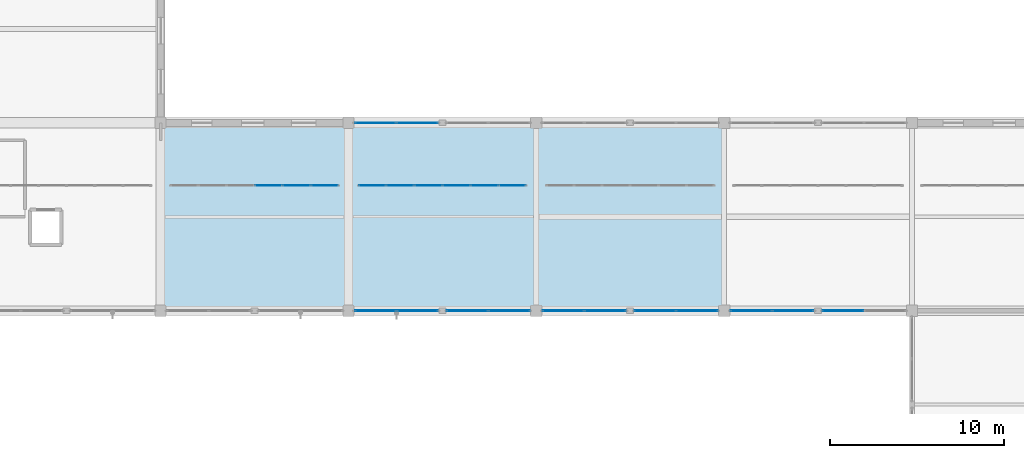
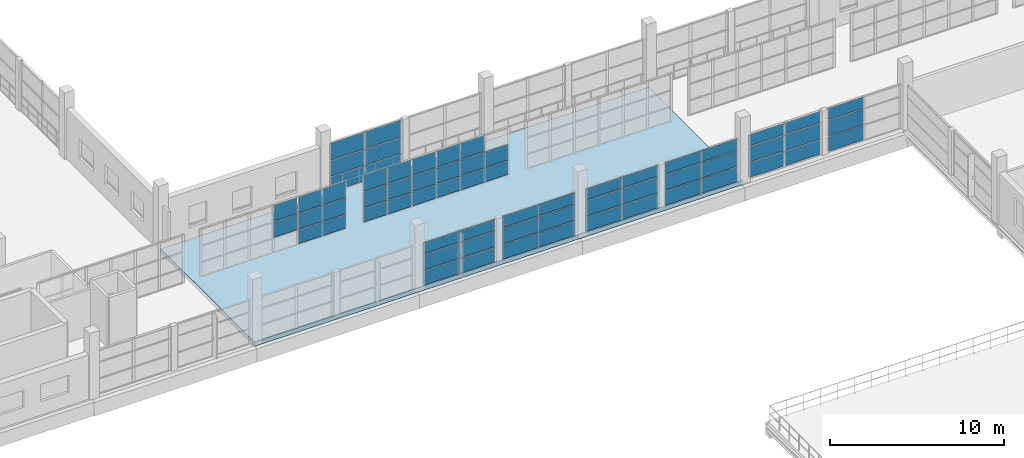
# One storey, part 87 of 142: 64 plates, 1 slab, 9 elements without a shape of their own.
"""IFC4 building model written with IfcOpenShell, lengths in metres."""

from ifc_helpers import new_model, si_unit, direction, frame, origin, origin_2d, place, context, subcontext, project, spatial, polyline, rectangle, outline, extrude, material, layer, layer_set, type_object, element, aggregate, save


model = new_model("IFC4")

# Units and contexts
model_context = context("Model", 3, precision=1e-05, world=origin(), true_north=direction((0.0, 1.0)))
body_context = subcontext(model_context, "Body", "Model", "MODEL_VIEW")
ifc_project = project(units=[si_unit("LENGTHUNIT", "METRE"), si_unit("AREAUNIT", "SQUARE_METRE"), si_unit("VOLUMEUNIT", "CUBIC_METRE"), si_unit("PLANEANGLEUNIT", "RADIAN"), si_unit("MASSUNIT", "GRAM", prefix="KILO")], contexts=[model_context])

# Site, building, storey
site_placement = place(None, origin())
site = spatial("IfcSite", under=ifc_project, at=site_placement, CompositionType="ELEMENT")
building_placement = place(site_placement, origin())
building = spatial("IfcBuilding", under=site, at=building_placement, Name="Zwinboog Wholesale Market", CompositionType="ELEMENT")
storey_placement = place(building_placement, frame((0.0, 0.0, 5.39990234375)))
storey = spatial("IfcBuildingStorey", under=building, at=storey_placement, Name="L01", CompositionType="ELEMENT", Elevation=5.39990234375)

# Slab
ifc_material_1 = material(Name="Precast concrete C45/55", Category="concrete")
ifc_layer_1 = layer(ifc_material_1, 0.304931640625)
ifc_layer_set_1 = layer_set([ifc_layer_1], Name="Precast concrete C45/55")
slab_type = type_object("IfcSlabType", Name="SLT-FL-305", PredefinedType="FLOOR", material=ifc_layer_set_1)
slab_placement = place(storey_placement, frame((0.0, 0.0, -0.304931640625)))
element("IfcSlab", 1, at=slab_placement, inside=storey, type_object=slab_type, Name="SF-305 (SLB-L01-037)", PredefinedType="FLOOR", context=body_context, shape_type="SweptSolid", body=[
    extrude(outline(polyline([(86.39990234375, 43.199951171875), (118.800048828125, 43.199951171875), (118.800048828125, 54.0), (86.39990234375, 54.0), (86.39990234375, 43.199951171875)])), origin(), (0.0, 0.0, 1.0), 0.304931640625),
])

# Curtain wall, plates
ifc_material_2 = material(Name="Aluminium thermally broken curtain wall", Category="aluminium")
curtain_wall_type_1 = type_object("IfcCurtainWallType", Name="CWT-HALL-24", PredefinedType="USERDEFINED", material=ifc_material_2)
curtain_wall_1_placement = place(storey_placement, origin())
curtain_wall_1 = element("IfcCurtainWall", 2, at=curtain_wall_1_placement, inside=storey, type_object=curtain_wall_type_1, Name="CW-03 (CW-L01-099)", ObjectType="UNITIZED_CURTAIN_WALL", PredefinedType="USERDEFINED")
ifc_material_3 = material(Name="Triple solar-control insulated glazing", Category="glass")
ifc_layer_2 = layer(ifc_material_3, 0.0380859375)
ifc_layer_set_2 = layer_set([ifc_layer_2], Name="Triple solar-control insulated glazing")
plate_type_1 = type_object("IfcPlateType", Name="CWP-IGU-38", PredefinedType="CURTAIN_PANEL", material=ifc_layer_set_2)
plate_1_placement = place(storey_placement, frame((98.75634765625, 43.199951171875, 0.065185546875), z_axis=(0.0, 0.0, 1.0), x_axis=(1.0, 0.0, 0.0)))
plate_1 = element("IfcPlate", 3, at=plate_1_placement, type_object=plate_type_1, Name="CW-03 panel 1.1", PredefinedType="CURTAIN_PANEL", context=body_context, shape_type="SweptSolid", body=[
    extrude(rectangle(XDim=2.342529296875, YDim=0.0380859375, at=origin_2d()), origin(), (0.0, 0.0, 1.0), 1.00244140625),
])
plate_2_placement = place(storey_placement, frame((98.75634765625, 43.199951171875, 1.132568359375), z_axis=(0.0, 0.0, 1.0), x_axis=(1.0, 0.0, 0.0)))
plate_2 = element("IfcPlate", 4, at=plate_2_placement, type_object=plate_type_1, Name="CW-03 panel 1.2", PredefinedType="CURTAIN_PANEL", context=body_context, shape_type="SweptSolid", body=[
    extrude(rectangle(XDim=2.342529296875, YDim=0.0380859375, at=origin_2d()), origin(), (0.0, 0.0, 1.0), 1.0849609375),
])
plate_3_placement = place(storey_placement, frame((98.75634765625, 43.199951171875, 2.28271484375), z_axis=(0.0, 0.0, 1.0), x_axis=(1.0, 0.0, 0.0)))
plate_3 = element("IfcPlate", 5, at=plate_3_placement, type_object=plate_type_1, Name="CW-03 panel 1.3", PredefinedType="CURTAIN_PANEL", context=body_context, shape_type="SweptSolid", body=[
    extrude(rectangle(XDim=2.342529296875, YDim=0.0380859375, at=origin_2d()), origin(), (0.0, 0.0, 1.0), 0.7724609375),
])
plate_4_placement = place(storey_placement, frame((101.163818359375, 43.199951171875, 0.065185546875), z_axis=(0.0, 0.0, 1.0), x_axis=(1.0, 0.0, 0.0)))
plate_4 = element("IfcPlate", 6, at=plate_4_placement, type_object=plate_type_1, Name="CW-03 panel 2.1", PredefinedType="CURTAIN_PANEL", context=body_context, shape_type="SweptSolid", body=[
    extrude(rectangle(XDim=2.342529296875, YDim=0.0380859375, at=origin_2d()), origin(), (0.0, 0.0, 1.0), 1.00244140625),
])
plate_5_placement = place(storey_placement, frame((101.163818359375, 43.199951171875, 1.132568359375), z_axis=(0.0, 0.0, 1.0), x_axis=(1.0, 0.0, 0.0)))
plate_5 = element("IfcPlate", 7, at=plate_5_placement, type_object=plate_type_1, Name="CW-03 panel 2.2", PredefinedType="CURTAIN_PANEL", context=body_context, shape_type="SweptSolid", body=[
    extrude(rectangle(XDim=2.342529296875, YDim=0.0380859375, at=origin_2d()), origin(), (0.0, 0.0, 1.0), 1.0849609375),
])
plate_6_placement = place(storey_placement, frame((101.163818359375, 43.199951171875, 2.28271484375), z_axis=(0.0, 0.0, 1.0), x_axis=(1.0, 0.0, 0.0)))
plate_6 = element("IfcPlate", 8, at=plate_6_placement, type_object=plate_type_1, Name="CW-03 panel 2.3", PredefinedType="CURTAIN_PANEL", context=body_context, shape_type="SweptSolid", body=[
    extrude(rectangle(XDim=2.342529296875, YDim=0.0380859375, at=origin_2d()), origin(), (0.0, 0.0, 1.0), 0.7724609375),
])
aggregate(curtain_wall_1, [plate_1, plate_2, plate_3, plate_4, plate_5, plate_6])

curtain_wall_type_2 = type_object("IfcCurtainWallType", Name="CWT-GAL-16", PredefinedType="USERDEFINED", material=ifc_material_2)
curtain_wall_2_placement = place(storey_placement, origin())
curtain_wall_2 = element("IfcCurtainWall", 9, at=curtain_wall_2_placement, inside=storey, type_object=curtain_wall_type_2, Name="CW-04 (CW-L01-100)", ObjectType="UNITIZED_CURTAIN_WALL", PredefinedType="USERDEFINED")
plate_7_placement = place(storey_placement, frame((104.034912109375, 43.199951171875, 0.06005859375), z_axis=(0.0, 0.0, 1.0), x_axis=(1.0, 0.0, 0.0)))
plate_7 = element("IfcPlate", 10, at=plate_7_placement, type_object=plate_type_1, Name="CW-04 panel 1.1", PredefinedType="CURTAIN_PANEL", context=body_context, shape_type="SweptSolid", body=[
    extrude(rectangle(XDim=2.35009765625, YDim=0.0380859375, at=origin_2d()), origin(), (0.0, 0.0, 1.0), 1.010009765625),
])
plate_8_placement = place(storey_placement, frame((104.034912109375, 43.199951171875, 1.1298828125), z_axis=(0.0, 0.0, 1.0), x_axis=(1.0, 0.0, 0.0)))
plate_8 = element("IfcPlate", 11, at=plate_8_placement, type_object=plate_type_1, Name="CW-04 panel 1.2", PredefinedType="CURTAIN_PANEL", context=body_context, shape_type="SweptSolid", body=[
    extrude(rectangle(XDim=2.35009765625, YDim=0.0380859375, at=origin_2d()), origin(), (0.0, 0.0, 1.0), 1.090087890625),
])
plate_9_placement = place(storey_placement, frame((104.034912109375, 43.199951171875, 2.2802734375), z_axis=(0.0, 0.0, 1.0), x_axis=(1.0, 0.0, 0.0)))
plate_9 = element("IfcPlate", 12, at=plate_9_placement, type_object=plate_type_1, Name="CW-04 panel 1.3", PredefinedType="CURTAIN_PANEL", context=body_context, shape_type="SweptSolid", body=[
    extrude(rectangle(XDim=2.35009765625, YDim=0.0380859375, at=origin_2d()), origin(), (0.0, 0.0, 1.0), 0.780029296875),
])
plate_10_placement = place(storey_placement, frame((106.445068359375, 43.199951171875, 0.06005859375), z_axis=(0.0, 0.0, 1.0), x_axis=(1.0, 0.0, 0.0)))
plate_10 = element("IfcPlate", 13, at=plate_10_placement, type_object=plate_type_1, Name="CW-04 panel 2.1", PredefinedType="CURTAIN_PANEL", context=body_context, shape_type="SweptSolid", body=[
    extrude(rectangle(XDim=2.35009765625, YDim=0.0380859375, at=origin_2d()), origin(), (0.0, 0.0, 1.0), 1.010009765625),
])
plate_11_placement = place(storey_placement, frame((106.445068359375, 43.199951171875, 1.1298828125), z_axis=(0.0, 0.0, 1.0), x_axis=(1.0, 0.0, 0.0)))
plate_11 = element("IfcPlate", 14, at=plate_11_placement, type_object=plate_type_1, Name="CW-04 panel 2.2", PredefinedType="CURTAIN_PANEL", context=body_context, shape_type="SweptSolid", body=[
    extrude(rectangle(XDim=2.35009765625, YDim=0.0380859375, at=origin_2d()), origin(), (0.0, 0.0, 1.0), 1.090087890625),
])
plate_12_placement = place(storey_placement, frame((106.445068359375, 43.199951171875, 2.2802734375), z_axis=(0.0, 0.0, 1.0), x_axis=(1.0, 0.0, 0.0)))
plate_12 = element("IfcPlate", 15, at=plate_12_placement, type_object=plate_type_1, Name="CW-04 panel 2.3", PredefinedType="CURTAIN_PANEL", context=body_context, shape_type="SweptSolid", body=[
    extrude(rectangle(XDim=2.35009765625, YDim=0.0380859375, at=origin_2d()), origin(), (0.0, 0.0, 1.0), 0.780029296875),
])
aggregate(curtain_wall_2, [plate_7, plate_8, plate_9, plate_10, plate_11, plate_12])

curtain_wall_type_3 = type_object("IfcCurtainWallType", Name="CWT-CAFE-22", PredefinedType="USERDEFINED", material=ifc_material_2)
curtain_wall_3_placement = place(storey_placement, origin())
curtain_wall_3 = element("IfcCurtainWall", 16, at=curtain_wall_3_placement, inside=storey, type_object=curtain_wall_type_3, Name="CW-05 (CW-L01-101)", ObjectType="STOREFRONT_GLAZING", PredefinedType="USERDEFINED")
plate_13_placement = place(storey_placement, frame((98.75634765625, 54.0, 0.065185546875), z_axis=(0.0, 0.0, 1.0), x_axis=(1.0, 0.0, 0.0)))
plate_13 = element("IfcPlate", 17, at=plate_13_placement, type_object=plate_type_1, Name="CW-05 panel 1.1", PredefinedType="CURTAIN_PANEL", context=body_context, shape_type="SweptSolid", body=[
    extrude(rectangle(XDim=2.342529296875, YDim=0.0380859375, at=origin_2d()), origin(), (0.0, 0.0, 1.0), 1.00244140625),
])
plate_14_placement = place(storey_placement, frame((98.75634765625, 54.0, 1.132568359375), z_axis=(0.0, 0.0, 1.0), x_axis=(1.0, 0.0, 0.0)))
plate_14 = element("IfcPlate", 18, at=plate_14_placement, type_object=plate_type_1, Name="CW-05 panel 1.2", PredefinedType="CURTAIN_PANEL", context=body_context, shape_type="SweptSolid", body=[
    extrude(rectangle(XDim=2.342529296875, YDim=0.0380859375, at=origin_2d()), origin(), (0.0, 0.0, 1.0), 1.0849609375),
])
plate_15_placement = place(storey_placement, frame((98.75634765625, 54.0, 2.282470703125), z_axis=(0.0, 0.0, 1.0), x_axis=(1.0, 0.0, 0.0)))
plate_15 = element("IfcPlate", 19, at=plate_15_placement, type_object=plate_type_1, Name="CW-05 panel 1.3", PredefinedType="CURTAIN_PANEL", context=body_context, shape_type="SweptSolid", body=[
    extrude(rectangle(XDim=2.342529296875, YDim=0.0380859375, at=origin_2d()), origin(), (0.0, 0.0, 1.0), 1.1826171875),
])
plate_16_placement = place(storey_placement, frame((101.163818359375, 54.0, 0.065185546875), z_axis=(0.0, 0.0, 1.0), x_axis=(1.0, 0.0, 0.0)))
plate_16 = element("IfcPlate", 20, at=plate_16_placement, type_object=plate_type_1, Name="CW-05 panel 2.1", PredefinedType="CURTAIN_PANEL", context=body_context, shape_type="SweptSolid", body=[
    extrude(rectangle(XDim=2.342529296875, YDim=0.0380859375, at=origin_2d()), origin(), (0.0, 0.0, 1.0), 1.00244140625),
])
plate_17_placement = place(storey_placement, frame((101.163818359375, 54.0, 1.132568359375), z_axis=(0.0, 0.0, 1.0), x_axis=(1.0, 0.0, 0.0)))
plate_17 = element("IfcPlate", 21, at=plate_17_placement, type_object=plate_type_1, Name="CW-05 panel 2.2", PredefinedType="CURTAIN_PANEL", context=body_context, shape_type="SweptSolid", body=[
    extrude(rectangle(XDim=2.342529296875, YDim=0.0380859375, at=origin_2d()), origin(), (0.0, 0.0, 1.0), 1.0849609375),
])
plate_18_placement = place(storey_placement, frame((101.163818359375, 54.0, 2.282470703125), z_axis=(0.0, 0.0, 1.0), x_axis=(1.0, 0.0, 0.0)))
plate_18 = element("IfcPlate", 22, at=plate_18_placement, type_object=plate_type_1, Name="CW-05 panel 2.3", PredefinedType="CURTAIN_PANEL", context=body_context, shape_type="SweptSolid", body=[
    extrude(rectangle(XDim=2.342529296875, YDim=0.0380859375, at=origin_2d()), origin(), (0.0, 0.0, 1.0), 1.1826171875),
])
aggregate(curtain_wall_3, [plate_13, plate_14, plate_15, plate_16, plate_17, plate_18])

curtain_wall_type_4 = type_object("IfcCurtainWallType", Name="CWT-STALL-18", PredefinedType="USERDEFINED", material=ifc_material_2)
curtain_wall_4_placement = place(storey_placement, origin())
curtain_wall_4 = element("IfcCurtainWall", 23, at=curtain_wall_4_placement, inside=storey, type_object=curtain_wall_type_4, Name="CW-01 (CW-L01-103)", ObjectType="STOREFRONT_GLAZING", PredefinedType="USERDEFINED")
plate_19_placement = place(storey_placement, frame((109.55615234375, 43.199951171875, 0.065185546875), z_axis=(0.0, 0.0, 1.0), x_axis=(1.0, 0.0, 0.0)))
plate_19 = element("IfcPlate", 24, at=plate_19_placement, type_object=plate_type_1, Name="CW-01 panel 1.1", PredefinedType="CURTAIN_PANEL", context=body_context, shape_type="SweptSolid", body=[
    extrude(rectangle(XDim=2.342529296875, YDim=0.0380859375, at=origin_2d()), origin(), (0.0, 0.0, 1.0), 1.00244140625),
])
plate_20_placement = place(storey_placement, frame((109.55615234375, 43.199951171875, 1.132568359375), z_axis=(0.0, 0.0, 1.0), x_axis=(1.0, 0.0, 0.0)))
plate_20 = element("IfcPlate", 25, at=plate_20_placement, type_object=plate_type_1, Name="CW-01 panel 1.2", PredefinedType="CURTAIN_PANEL", context=body_context, shape_type="SweptSolid", body=[
    extrude(rectangle(XDim=2.342529296875, YDim=0.0380859375, at=origin_2d()), origin(), (0.0, 0.0, 1.0), 1.0849609375),
])
plate_21_placement = place(storey_placement, frame((109.55615234375, 43.199951171875, 2.28271484375), z_axis=(0.0, 0.0, 1.0), x_axis=(1.0, 0.0, 0.0)))
plate_21 = element("IfcPlate", 26, at=plate_21_placement, type_object=plate_type_1, Name="CW-01 panel 1.3", PredefinedType="CURTAIN_PANEL", context=body_context, shape_type="SweptSolid", body=[
    extrude(rectangle(XDim=2.342529296875, YDim=0.0380859375, at=origin_2d()), origin(), (0.0, 0.0, 1.0), 0.7724609375),
])
plate_22_placement = place(storey_placement, frame((111.9638671875, 43.199951171875, 0.065185546875), z_axis=(0.0, 0.0, 1.0), x_axis=(1.0, 0.0, 0.0)))
plate_22 = element("IfcPlate", 27, at=plate_22_placement, type_object=plate_type_1, Name="CW-01 panel 2.1", PredefinedType="CURTAIN_PANEL", context=body_context, shape_type="SweptSolid", body=[
    extrude(rectangle(XDim=2.342529296875, YDim=0.0380859375, at=origin_2d()), origin(), (0.0, 0.0, 1.0), 1.00244140625),
])
plate_23_placement = place(storey_placement, frame((111.9638671875, 43.199951171875, 1.132568359375), z_axis=(0.0, 0.0, 1.0), x_axis=(1.0, 0.0, 0.0)))
plate_23 = element("IfcPlate", 28, at=plate_23_placement, type_object=plate_type_1, Name="CW-01 panel 2.2", PredefinedType="CURTAIN_PANEL", context=body_context, shape_type="SweptSolid", body=[
    extrude(rectangle(XDim=2.342529296875, YDim=0.0380859375, at=origin_2d()), origin(), (0.0, 0.0, 1.0), 1.0849609375),
])
plate_24_placement = place(storey_placement, frame((111.9638671875, 43.199951171875, 2.28271484375), z_axis=(0.0, 0.0, 1.0), x_axis=(1.0, 0.0, 0.0)))
plate_24 = element("IfcPlate", 29, at=plate_24_placement, type_object=plate_type_1, Name="CW-01 panel 2.3", PredefinedType="CURTAIN_PANEL", context=body_context, shape_type="SweptSolid", body=[
    extrude(rectangle(XDim=2.342529296875, YDim=0.0380859375, at=origin_2d()), origin(), (0.0, 0.0, 1.0), 0.7724609375),
])
aggregate(curtain_wall_4, [plate_19, plate_20, plate_21, plate_22, plate_23, plate_24])

curtain_wall_type_5 = type_object("IfcCurtainWallType", Name="CWT-STALL-20", PredefinedType="USERDEFINED", material=ifc_material_2)
curtain_wall_5_placement = place(storey_placement, origin())
curtain_wall_5 = element("IfcCurtainWall", 30, at=curtain_wall_5_placement, inside=storey, type_object=curtain_wall_type_5, Name="CW-02 (CW-L01-104)", ObjectType="STOREFRONT_GLAZING", PredefinedType="USERDEFINED")
plate_25_placement = place(storey_placement, frame((114.8349609375, 43.199951171875, 0.06005859375), z_axis=(0.0, 0.0, 1.0), x_axis=(1.0, 0.0, 0.0)))
plate_25 = element("IfcPlate", 31, at=plate_25_placement, type_object=plate_type_1, Name="CW-02 panel 1.1", PredefinedType="CURTAIN_PANEL", context=body_context, shape_type="SweptSolid", body=[
    extrude(rectangle(XDim=2.35009765625, YDim=0.0380859375, at=origin_2d()), origin(), (0.0, 0.0, 1.0), 1.010009765625),
])
plate_26_placement = place(storey_placement, frame((114.8349609375, 43.199951171875, 1.1298828125), z_axis=(0.0, 0.0, 1.0), x_axis=(1.0, 0.0, 0.0)))
plate_26 = element("IfcPlate", 32, at=plate_26_placement, type_object=plate_type_1, Name="CW-02 panel 1.2", PredefinedType="CURTAIN_PANEL", context=body_context, shape_type="SweptSolid", body=[
    extrude(rectangle(XDim=2.35009765625, YDim=0.0380859375, at=origin_2d()), origin(), (0.0, 0.0, 1.0), 1.090087890625),
])
plate_27_placement = place(storey_placement, frame((114.8349609375, 43.199951171875, 2.2802734375), z_axis=(0.0, 0.0, 1.0), x_axis=(1.0, 0.0, 0.0)))
plate_27 = element("IfcPlate", 33, at=plate_27_placement, type_object=plate_type_1, Name="CW-02 panel 1.3", PredefinedType="CURTAIN_PANEL", context=body_context, shape_type="SweptSolid", body=[
    extrude(rectangle(XDim=2.35009765625, YDim=0.0380859375, at=origin_2d()), origin(), (0.0, 0.0, 1.0), 0.780029296875),
])
plate_28_placement = place(storey_placement, frame((117.2451171875, 43.199951171875, 0.06005859375), z_axis=(0.0, 0.0, 1.0), x_axis=(1.0, 0.0, 0.0)))
plate_28 = element("IfcPlate", 34, at=plate_28_placement, type_object=plate_type_1, Name="CW-02 panel 2.1", PredefinedType="CURTAIN_PANEL", context=body_context, shape_type="SweptSolid", body=[
    extrude(rectangle(XDim=2.35009765625, YDim=0.0380859375, at=origin_2d()), origin(), (0.0, 0.0, 1.0), 1.010009765625),
])
plate_29_placement = place(storey_placement, frame((117.2451171875, 43.199951171875, 1.1298828125), z_axis=(0.0, 0.0, 1.0), x_axis=(1.0, 0.0, 0.0)))
plate_29 = element("IfcPlate", 35, at=plate_29_placement, type_object=plate_type_1, Name="CW-02 panel 2.2", PredefinedType="CURTAIN_PANEL", context=body_context, shape_type="SweptSolid", body=[
    extrude(rectangle(XDim=2.35009765625, YDim=0.0380859375, at=origin_2d()), origin(), (0.0, 0.0, 1.0), 1.090087890625),
])
plate_30_placement = place(storey_placement, frame((117.2451171875, 43.199951171875, 2.2802734375), z_axis=(0.0, 0.0, 1.0), x_axis=(1.0, 0.0, 0.0)))
plate_30 = element("IfcPlate", 36, at=plate_30_placement, type_object=plate_type_1, Name="CW-02 panel 2.3", PredefinedType="CURTAIN_PANEL", context=body_context, shape_type="SweptSolid", body=[
    extrude(rectangle(XDim=2.35009765625, YDim=0.0380859375, at=origin_2d()), origin(), (0.0, 0.0, 1.0), 0.780029296875),
])
aggregate(curtain_wall_5, [plate_25, plate_26, plate_27, plate_28, plate_29, plate_30])

curtain_wall_6_placement = place(storey_placement, origin())
curtain_wall_6 = element("IfcCurtainWall", 37, at=curtain_wall_6_placement, inside=storey, type_object=curtain_wall_type_4, Name="CW-01 (CW-L01-109)", ObjectType="STOREFRONT_GLAZING", PredefinedType="USERDEFINED")
plate_31_placement = place(storey_placement, frame((120.356201171875, 43.199951171875, 0.065185546875), z_axis=(0.0, 0.0, 1.0), x_axis=(1.0, 0.0, 0.0)))
plate_31 = element("IfcPlate", 38, at=plate_31_placement, type_object=plate_type_1, Name="CW-01 panel 1.1", PredefinedType="CURTAIN_PANEL", context=body_context, shape_type="SweptSolid", body=[
    extrude(rectangle(XDim=2.342529296875, YDim=0.0380859375, at=origin_2d()), origin(), (0.0, 0.0, 1.0), 1.00244140625),
])
plate_32_placement = place(storey_placement, frame((120.356201171875, 43.199951171875, 1.132568359375), z_axis=(0.0, 0.0, 1.0), x_axis=(1.0, 0.0, 0.0)))
plate_32 = element("IfcPlate", 39, at=plate_32_placement, type_object=plate_type_1, Name="CW-01 panel 1.2", PredefinedType="CURTAIN_PANEL", context=body_context, shape_type="SweptSolid", body=[
    extrude(rectangle(XDim=2.342529296875, YDim=0.0380859375, at=origin_2d()), origin(), (0.0, 0.0, 1.0), 1.0849609375),
])
plate_33_placement = place(storey_placement, frame((120.356201171875, 43.199951171875, 2.28271484375), z_axis=(0.0, 0.0, 1.0), x_axis=(1.0, 0.0, 0.0)))
plate_33 = element("IfcPlate", 40, at=plate_33_placement, type_object=plate_type_1, Name="CW-01 panel 1.3", PredefinedType="CURTAIN_PANEL", context=body_context, shape_type="SweptSolid", body=[
    extrude(rectangle(XDim=2.342529296875, YDim=0.0380859375, at=origin_2d()), origin(), (0.0, 0.0, 1.0), 0.7724609375),
])
plate_34_placement = place(storey_placement, frame((122.763671875, 43.199951171875, 0.065185546875), z_axis=(0.0, 0.0, 1.0), x_axis=(1.0, 0.0, 0.0)))
plate_34 = element("IfcPlate", 41, at=plate_34_placement, type_object=plate_type_1, Name="CW-01 panel 2.1", PredefinedType="CURTAIN_PANEL", context=body_context, shape_type="SweptSolid", body=[
    extrude(rectangle(XDim=2.342529296875, YDim=0.0380859375, at=origin_2d()), origin(), (0.0, 0.0, 1.0), 1.00244140625),
])
plate_35_placement = place(storey_placement, frame((122.763671875, 43.199951171875, 1.132568359375), z_axis=(0.0, 0.0, 1.0), x_axis=(1.0, 0.0, 0.0)))
plate_35 = element("IfcPlate", 42, at=plate_35_placement, type_object=plate_type_1, Name="CW-01 panel 2.2", PredefinedType="CURTAIN_PANEL", context=body_context, shape_type="SweptSolid", body=[
    extrude(rectangle(XDim=2.342529296875, YDim=0.0380859375, at=origin_2d()), origin(), (0.0, 0.0, 1.0), 1.0849609375),
])
plate_36_placement = place(storey_placement, frame((122.763671875, 43.199951171875, 2.28271484375), z_axis=(0.0, 0.0, 1.0), x_axis=(1.0, 0.0, 0.0)))
plate_36 = element("IfcPlate", 43, at=plate_36_placement, type_object=plate_type_1, Name="CW-01 panel 2.3", PredefinedType="CURTAIN_PANEL", context=body_context, shape_type="SweptSolid", body=[
    extrude(rectangle(XDim=2.342529296875, YDim=0.0380859375, at=origin_2d()), origin(), (0.0, 0.0, 1.0), 0.7724609375),
])
aggregate(curtain_wall_6, [plate_31, plate_32, plate_33, plate_34, plate_35, plate_36])

curtain_wall_7_placement = place(storey_placement, origin())
curtain_wall_7 = element("IfcCurtainWall", 44, at=curtain_wall_7_placement, inside=storey, type_object=curtain_wall_type_5, Name="CW-02 (CW-L01-110)", ObjectType="STOREFRONT_GLAZING", PredefinedType="USERDEFINED")
plate_37_placement = place(storey_placement, frame((125.635009765625, 43.199951171875, 0.06005859375), z_axis=(0.0, 0.0, 1.0), x_axis=(1.0, 0.0, 0.0)))
plate_37 = element("IfcPlate", 45, at=plate_37_placement, type_object=plate_type_1, Name="CW-02 panel 1.1", PredefinedType="CURTAIN_PANEL", context=body_context, shape_type="SweptSolid", body=[
    extrude(rectangle(XDim=2.35009765625, YDim=0.0380859375, at=origin_2d()), origin(), (0.0, 0.0, 1.0), 1.010009765625),
])
plate_38_placement = place(storey_placement, frame((125.635009765625, 43.199951171875, 1.1298828125), z_axis=(0.0, 0.0, 1.0), x_axis=(1.0, 0.0, 0.0)))
plate_38 = element("IfcPlate", 46, at=plate_38_placement, type_object=plate_type_1, Name="CW-02 panel 1.2", PredefinedType="CURTAIN_PANEL", context=body_context, shape_type="SweptSolid", body=[
    extrude(rectangle(XDim=2.35009765625, YDim=0.0380859375, at=origin_2d()), origin(), (0.0, 0.0, 1.0), 1.090087890625),
])
plate_39_placement = place(storey_placement, frame((125.635009765625, 43.199951171875, 2.2802734375), z_axis=(0.0, 0.0, 1.0), x_axis=(1.0, 0.0, 0.0)))
plate_39 = element("IfcPlate", 47, at=plate_39_placement, type_object=plate_type_1, Name="CW-02 panel 1.3", PredefinedType="CURTAIN_PANEL", context=body_context, shape_type="SweptSolid", body=[
    extrude(rectangle(XDim=2.35009765625, YDim=0.0380859375, at=origin_2d()), origin(), (0.0, 0.0, 1.0), 0.780029296875),
])
aggregate(curtain_wall_7, [plate_37, plate_38, plate_39])

curtain_wall_type_6 = type_object("IfcCurtainWallType", Name="CWT-INT-STALL", PredefinedType="USERDEFINED", material=ifc_material_2)
curtain_wall_8_placement = place(storey_placement, origin())
curtain_wall_8 = element("IfcCurtainWall", 48, at=curtain_wall_8_placement, inside=storey, type_object=curtain_wall_type_6, Name="CW-07 (CW-STL-227)", ObjectType="STOREFRONT_GLAZING", PredefinedType="USERDEFINED")
ifc_material_4 = material(Name="Tempered laminated market stall glazing", Category="glass")
ifc_layer_3 = layer(ifc_material_4, 0.01611328125)
ifc_layer_set_3 = layer_set([ifc_layer_3], Name="Tempered laminated market stall glazing")
plate_type_2 = type_object("IfcPlateType", Name="CWP-INT-16", PredefinedType="CURTAIN_PANEL", material=ifc_layer_set_3)
plate_40_placement = place(storey_placement, frame((92.6083984375, 50.39990234375, 1.080078125), z_axis=(0.0, 0.0, 1.0), x_axis=(1.0, 0.0, 0.0)))
plate_40 = element("IfcPlate", 49, at=plate_40_placement, type_object=plate_type_2, Name="CW-07 panel 4.2", PredefinedType="CURTAIN_PANEL", context=body_context, shape_type="SweptSolid", body=[
    extrude(rectangle(XDim=1.556640625, YDim=0.01611328125, at=origin_2d()), origin(), (0.0, 0.0, 1.0), 1.090087890625),
])
plate_41_placement = place(storey_placement, frame((92.6083984375, 50.39990234375, 2.22998046875), z_axis=(0.0, 0.0, 1.0), x_axis=(1.0, 0.0, 0.0)))
plate_41 = element("IfcPlate", 50, at=plate_41_placement, type_object=plate_type_2, Name="CW-07 panel 4.3", PredefinedType="CURTAIN_PANEL", context=body_context, shape_type="SweptSolid", body=[
    extrude(rectangle(XDim=1.556640625, YDim=0.01611328125, at=origin_2d()), origin(), (0.0, 0.0, 1.0), 1.110107421875),
])
plate_42_placement = place(storey_placement, frame((94.22509765625, 50.39990234375, 0.06005859375), z_axis=(0.0, 0.0, 1.0), x_axis=(1.0, 0.0, 0.0)))
plate_42 = element("IfcPlate", 51, at=plate_42_placement, type_object=plate_type_2, Name="CW-07 panel 5.1", PredefinedType="CURTAIN_PANEL", context=body_context, shape_type="SweptSolid", body=[
    extrude(rectangle(XDim=1.556640625, YDim=0.01611328125, at=origin_2d()), origin(), (0.0, 0.0, 1.0), 0.9599609375),
])
plate_43_placement = place(storey_placement, frame((94.22509765625, 50.39990234375, 1.080078125), z_axis=(0.0, 0.0, 1.0), x_axis=(1.0, 0.0, 0.0)))
plate_43 = element("IfcPlate", 52, at=plate_43_placement, type_object=plate_type_2, Name="CW-07 panel 5.2", PredefinedType="CURTAIN_PANEL", context=body_context, shape_type="SweptSolid", body=[
    extrude(rectangle(XDim=1.556640625, YDim=0.01611328125, at=origin_2d()), origin(), (0.0, 0.0, 1.0), 1.090087890625),
])
plate_44_placement = place(storey_placement, frame((94.22509765625, 50.39990234375, 2.22998046875), z_axis=(0.0, 0.0, 1.0), x_axis=(1.0, 0.0, 0.0)))
plate_44 = element("IfcPlate", 53, at=plate_44_placement, type_object=plate_type_2, Name="CW-07 panel 5.3", PredefinedType="CURTAIN_PANEL", context=body_context, shape_type="SweptSolid", body=[
    extrude(rectangle(XDim=1.556640625, YDim=0.01611328125, at=origin_2d()), origin(), (0.0, 0.0, 1.0), 1.110107421875),
])
plate_45_placement = place(storey_placement, frame((95.82666015625, 50.39990234375, 0.06005859375), z_axis=(0.0, 0.0, 1.0), x_axis=(1.0, 0.0, 0.0)))
plate_45 = element("IfcPlate", 54, at=plate_45_placement, type_object=plate_type_2, Name="CW-07 panel 6.1", PredefinedType="CURTAIN_PANEL", context=body_context, shape_type="SweptSolid", body=[
    extrude(rectangle(XDim=1.526611328125, YDim=0.01611328125, at=origin_2d()), origin(), (0.0, 0.0, 1.0), 0.9599609375),
])
plate_46_placement = place(storey_placement, frame((95.82666015625, 50.39990234375, 1.080078125), z_axis=(0.0, 0.0, 1.0), x_axis=(1.0, 0.0, 0.0)))
plate_46 = element("IfcPlate", 55, at=plate_46_placement, type_object=plate_type_2, Name="CW-07 panel 6.2", PredefinedType="CURTAIN_PANEL", context=body_context, shape_type="SweptSolid", body=[
    extrude(rectangle(XDim=1.526611328125, YDim=0.01611328125, at=origin_2d()), origin(), (0.0, 0.0, 1.0), 1.090087890625),
])
plate_47_placement = place(storey_placement, frame((95.82666015625, 50.39990234375, 2.22998046875), z_axis=(0.0, 0.0, 1.0), x_axis=(1.0, 0.0, 0.0)))
plate_47 = element("IfcPlate", 56, at=plate_47_placement, type_object=plate_type_2, Name="CW-07 panel 6.3", PredefinedType="CURTAIN_PANEL", context=body_context, shape_type="SweptSolid", body=[
    extrude(rectangle(XDim=1.526611328125, YDim=0.01611328125, at=origin_2d()), origin(), (0.0, 0.0, 1.0), 1.110107421875),
])
aggregate(curtain_wall_8, [plate_40, plate_41, plate_42, plate_43, plate_44, plate_45, plate_46, plate_47])

curtain_wall_9_placement = place(storey_placement, origin())
curtain_wall_9 = element("IfcCurtainWall", 57, at=curtain_wall_9_placement, inside=storey, type_object=curtain_wall_type_6, Name="CW-07 (CW-STL-228)", ObjectType="STOREFRONT_GLAZING", PredefinedType="USERDEFINED")
plate_48_placement = place(storey_placement, frame((98.5732421875, 50.39990234375, 0.06005859375), z_axis=(0.0, 0.0, 1.0), x_axis=(1.0, 0.0, 0.0)))
plate_48 = element("IfcPlate", 58, at=plate_48_placement, type_object=plate_type_2, Name="CW-07 panel 1.1", PredefinedType="CURTAIN_PANEL", context=body_context, shape_type="SweptSolid", body=[
    extrude(rectangle(XDim=1.526611328125, YDim=0.01611328125, at=origin_2d()), origin(), (0.0, 0.0, 1.0), 0.9599609375),
])
plate_49_placement = place(storey_placement, frame((98.5732421875, 50.39990234375, 1.080078125), z_axis=(0.0, 0.0, 1.0), x_axis=(1.0, 0.0, 0.0)))
plate_49 = element("IfcPlate", 59, at=plate_49_placement, type_object=plate_type_2, Name="CW-07 panel 1.2", PredefinedType="CURTAIN_PANEL", context=body_context, shape_type="SweptSolid", body=[
    extrude(rectangle(XDim=1.526611328125, YDim=0.01611328125, at=origin_2d()), origin(), (0.0, 0.0, 1.0), 1.090087890625),
])
plate_50_placement = place(storey_placement, frame((98.5732421875, 50.39990234375, 2.22998046875), z_axis=(0.0, 0.0, 1.0), x_axis=(1.0, 0.0, 0.0)))
plate_50 = element("IfcPlate", 60, at=plate_50_placement, type_object=plate_type_2, Name="CW-07 panel 1.3", PredefinedType="CURTAIN_PANEL", context=body_context, shape_type="SweptSolid", body=[
    extrude(rectangle(XDim=1.526611328125, YDim=0.01611328125, at=origin_2d()), origin(), (0.0, 0.0, 1.0), 1.110107421875),
])
plate_51_placement = place(storey_placement, frame((100.175048828125, 50.39990234375, 0.06005859375), z_axis=(0.0, 0.0, 1.0), x_axis=(1.0, 0.0, 0.0)))
plate_51 = element("IfcPlate", 61, at=plate_51_placement, type_object=plate_type_2, Name="CW-07 panel 2.1", PredefinedType="CURTAIN_PANEL", context=body_context, shape_type="SweptSolid", body=[
    extrude(rectangle(XDim=1.556640625, YDim=0.01611328125, at=origin_2d()), origin(), (0.0, 0.0, 1.0), 0.9599609375),
])
plate_52_placement = place(storey_placement, frame((100.175048828125, 50.39990234375, 1.080078125), z_axis=(0.0, 0.0, 1.0), x_axis=(1.0, 0.0, 0.0)))
plate_52 = element("IfcPlate", 62, at=plate_52_placement, type_object=plate_type_2, Name="CW-07 panel 2.2", PredefinedType="CURTAIN_PANEL", context=body_context, shape_type="SweptSolid", body=[
    extrude(rectangle(XDim=1.556640625, YDim=0.01611328125, at=origin_2d()), origin(), (0.0, 0.0, 1.0), 1.090087890625),
])
plate_53_placement = place(storey_placement, frame((100.175048828125, 50.39990234375, 2.22998046875), z_axis=(0.0, 0.0, 1.0), x_axis=(1.0, 0.0, 0.0)))
plate_53 = element("IfcPlate", 63, at=plate_53_placement, type_object=plate_type_2, Name="CW-07 panel 2.3", PredefinedType="CURTAIN_PANEL", context=body_context, shape_type="SweptSolid", body=[
    extrude(rectangle(XDim=1.556640625, YDim=0.01611328125, at=origin_2d()), origin(), (0.0, 0.0, 1.0), 1.110107421875),
])
plate_54_placement = place(storey_placement, frame((101.791748046875, 50.39990234375, 0.06005859375), z_axis=(0.0, 0.0, 1.0), x_axis=(1.0, 0.0, 0.0)))
plate_54 = element("IfcPlate", 64, at=plate_54_placement, type_object=plate_type_2, Name="CW-07 panel 3.1", PredefinedType="CURTAIN_PANEL", context=body_context, shape_type="SweptSolid", body=[
    extrude(rectangle(XDim=1.556640625, YDim=0.01611328125, at=origin_2d()), origin(), (0.0, 0.0, 1.0), 0.9599609375),
])
plate_55_placement = place(storey_placement, frame((101.791748046875, 50.39990234375, 1.080078125), z_axis=(0.0, 0.0, 1.0), x_axis=(1.0, 0.0, 0.0)))
plate_55 = element("IfcPlate", 65, at=plate_55_placement, type_object=plate_type_2, Name="CW-07 panel 3.2", PredefinedType="CURTAIN_PANEL", context=body_context, shape_type="SweptSolid", body=[
    extrude(rectangle(XDim=1.556640625, YDim=0.01611328125, at=origin_2d()), origin(), (0.0, 0.0, 1.0), 1.090087890625),
])
plate_56_placement = place(storey_placement, frame((101.791748046875, 50.39990234375, 2.22998046875), z_axis=(0.0, 0.0, 1.0), x_axis=(1.0, 0.0, 0.0)))
plate_56 = element("IfcPlate", 66, at=plate_56_placement, type_object=plate_type_2, Name="CW-07 panel 3.3", PredefinedType="CURTAIN_PANEL", context=body_context, shape_type="SweptSolid", body=[
    extrude(rectangle(XDim=1.556640625, YDim=0.01611328125, at=origin_2d()), origin(), (0.0, 0.0, 1.0), 1.110107421875),
])
plate_57_placement = place(storey_placement, frame((103.408447265625, 50.39990234375, 0.06005859375), z_axis=(0.0, 0.0, 1.0), x_axis=(1.0, 0.0, 0.0)))
plate_57 = element("IfcPlate", 67, at=plate_57_placement, type_object=plate_type_2, Name="CW-07 panel 4.1", PredefinedType="CURTAIN_PANEL", context=body_context, shape_type="SweptSolid", body=[
    extrude(rectangle(XDim=1.556640625, YDim=0.01611328125, at=origin_2d()), origin(), (0.0, 0.0, 1.0), 0.9599609375),
])
plate_58_placement = place(storey_placement, frame((103.408447265625, 50.39990234375, 1.080078125), z_axis=(0.0, 0.0, 1.0), x_axis=(1.0, 0.0, 0.0)))
plate_58 = element("IfcPlate", 68, at=plate_58_placement, type_object=plate_type_2, Name="CW-07 panel 4.2", PredefinedType="CURTAIN_PANEL", context=body_context, shape_type="SweptSolid", body=[
    extrude(rectangle(XDim=1.556640625, YDim=0.01611328125, at=origin_2d()), origin(), (0.0, 0.0, 1.0), 1.090087890625),
])
plate_59_placement = place(storey_placement, frame((103.408447265625, 50.39990234375, 2.22998046875), z_axis=(0.0, 0.0, 1.0), x_axis=(1.0, 0.0, 0.0)))
plate_59 = element("IfcPlate", 69, at=plate_59_placement, type_object=plate_type_2, Name="CW-07 panel 4.3", PredefinedType="CURTAIN_PANEL", context=body_context, shape_type="SweptSolid", body=[
    extrude(rectangle(XDim=1.556640625, YDim=0.01611328125, at=origin_2d()), origin(), (0.0, 0.0, 1.0), 1.110107421875),
])
plate_60_placement = place(storey_placement, frame((105.02490234375, 50.39990234375, 0.06005859375), z_axis=(0.0, 0.0, 1.0), x_axis=(1.0, 0.0, 0.0)))
plate_60 = element("IfcPlate", 70, at=plate_60_placement, type_object=plate_type_2, Name="CW-07 panel 5.1", PredefinedType="CURTAIN_PANEL", context=body_context, shape_type="SweptSolid", body=[
    extrude(rectangle(XDim=1.556640625, YDim=0.01611328125, at=origin_2d()), origin(), (0.0, 0.0, 1.0), 0.9599609375),
])
plate_61_placement = place(storey_placement, frame((105.02490234375, 50.39990234375, 1.080078125), z_axis=(0.0, 0.0, 1.0), x_axis=(1.0, 0.0, 0.0)))
plate_61 = element("IfcPlate", 71, at=plate_61_placement, type_object=plate_type_2, Name="CW-07 panel 5.2", PredefinedType="CURTAIN_PANEL", context=body_context, shape_type="SweptSolid", body=[
    extrude(rectangle(XDim=1.556640625, YDim=0.01611328125, at=origin_2d()), origin(), (0.0, 0.0, 1.0), 1.090087890625),
])
plate_62_placement = place(storey_placement, frame((105.02490234375, 50.39990234375, 2.22998046875), z_axis=(0.0, 0.0, 1.0), x_axis=(1.0, 0.0, 0.0)))
plate_62 = element("IfcPlate", 72, at=plate_62_placement, type_object=plate_type_2, Name="CW-07 panel 5.3", PredefinedType="CURTAIN_PANEL", context=body_context, shape_type="SweptSolid", body=[
    extrude(rectangle(XDim=1.556640625, YDim=0.01611328125, at=origin_2d()), origin(), (0.0, 0.0, 1.0), 1.110107421875),
])
plate_63_placement = place(storey_placement, frame((106.626708984375, 50.39990234375, 0.06005859375), z_axis=(0.0, 0.0, 1.0), x_axis=(1.0, 0.0, 0.0)))
plate_63 = element("IfcPlate", 73, at=plate_63_placement, type_object=plate_type_2, Name="CW-07 panel 6.1", PredefinedType="CURTAIN_PANEL", context=body_context, shape_type="SweptSolid", body=[
    extrude(rectangle(XDim=1.526611328125, YDim=0.01611328125, at=origin_2d()), origin(), (0.0, 0.0, 1.0), 0.9599609375),
])
plate_64_placement = place(storey_placement, frame((106.626708984375, 50.39990234375, 1.080078125), z_axis=(0.0, 0.0, 1.0), x_axis=(1.0, 0.0, 0.0)))
plate_64 = element("IfcPlate", 74, at=plate_64_placement, type_object=plate_type_2, Name="CW-07 panel 6.2", PredefinedType="CURTAIN_PANEL", context=body_context, shape_type="SweptSolid", body=[
    extrude(rectangle(XDim=1.526611328125, YDim=0.01611328125, at=origin_2d()), origin(), (0.0, 0.0, 1.0), 1.090087890625),
])
aggregate(curtain_wall_9, [plate_48, plate_49, plate_50, plate_51, plate_52, plate_53, plate_54, plate_55, plate_56, plate_57, plate_58, plate_59, plate_60, plate_61, plate_62, plate_63, plate_64])

save(model, "model.ifc")
